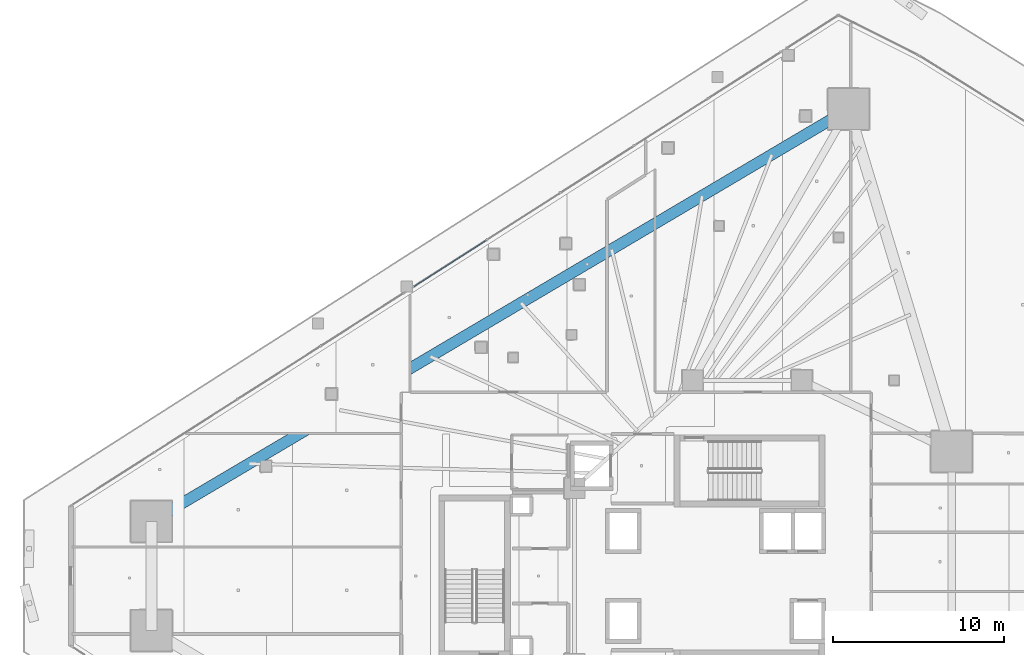
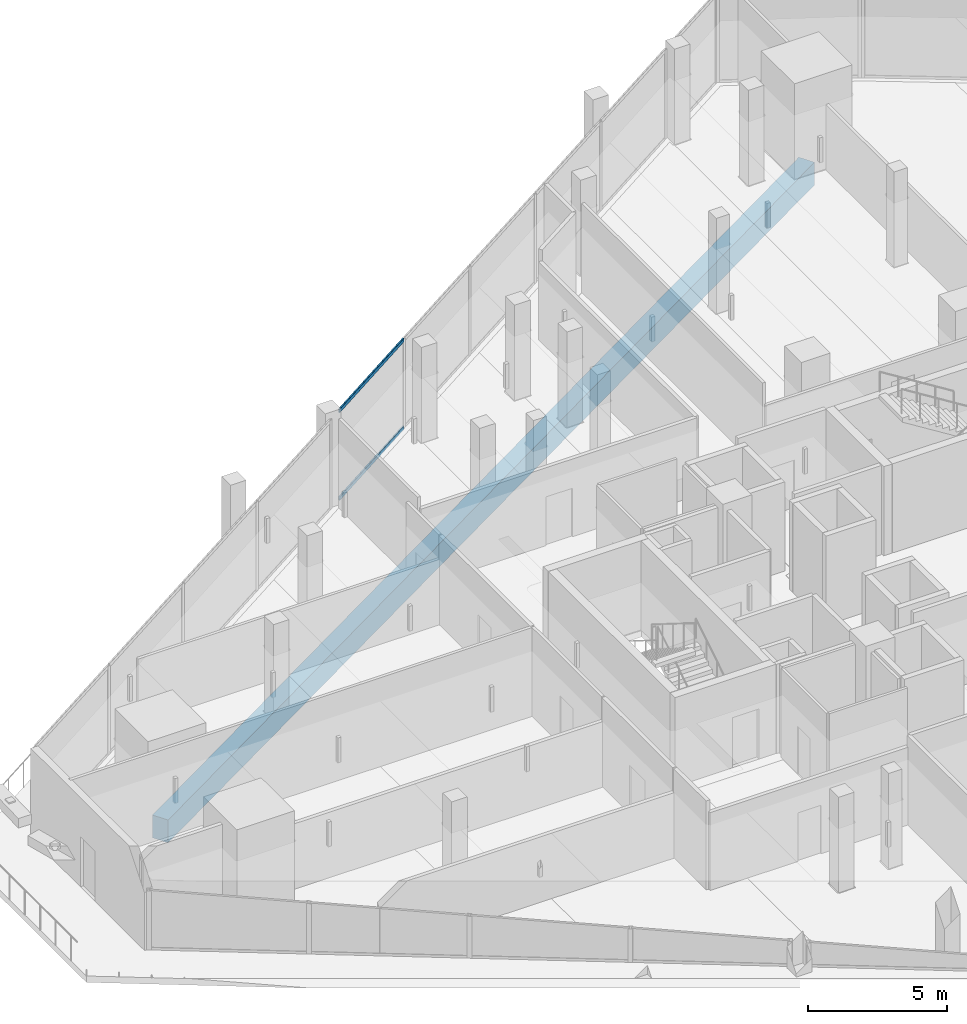
# One storey, part 17 of 44: 2 members, 1 beam, 1 element without a shape of its own.
"""IFC4 building model written with IfcOpenShell, lengths in metres."""

from ifc_helpers import new_model, si_unit, direction, frame, origin, origin_2d, place, context, subcontext, project, spatial, rectangle, hollow_rectangle, extrude, material, layer, layer_set, material_profile, profile_set, type_object, element, aggregate, save


model = new_model("IFC4")

# Units and contexts
model_context = context("Model", 3, precision=1e-05, world=origin(), true_north=direction((0.0, 1.0)))
body_context = subcontext(model_context, "Body", "Model", "MODEL_VIEW")
ifc_project = project(units=[si_unit("LENGTHUNIT", "METRE"), si_unit("AREAUNIT", "SQUARE_METRE"), si_unit("VOLUMEUNIT", "CUBIC_METRE"), si_unit("PLANEANGLEUNIT", "RADIAN"), si_unit("MASSUNIT", "GRAM", prefix="KILO")], contexts=[model_context])

# Site, building, storey
site_placement = place(None, origin())
site = spatial("IfcSite", under=ifc_project, at=site_placement, CompositionType="ELEMENT")
building_placement = place(site_placement, origin())
building = spatial("IfcBuilding", under=site, at=building_placement, Name="Qorvath Tower", CompositionType="ELEMENT")
storey_placement = place(building_placement, frame((0.0, 0.0, 57.60009765625)))
storey = spatial("IfcBuildingStorey", under=building, at=storey_placement, Name="L12", CompositionType="ELEMENT", Elevation=57.60009765625)

# Beam
ifc_material_1 = material(Name="Concrete C50/60", Category="concrete")
ifc_material_profile_1 = material_profile(ifc_material_1, rectangle(XDim=0.64990234375, YDim=1.0, at=origin_2d()), Name="RCB 1000x650")
ifc_profile_set_1 = profile_set([ifc_material_profile_1], Name="Concrete C50/60")
beam_type = type_object("IfcBeamType", Name="BM-RCB1", PredefinedType="SPANDREL", material=ifc_profile_set_1)
beam_placement = place(storey_placement, frame((-14.46435546875, 27.330810546875, -0.780029296875), z_axis=(-0.860777360917, -0.508981664633, 0.0), x_axis=(0.508981664633, -0.860777360917, 0.0)))
element("IfcBeam", 1, at=beam_placement, inside=storey, type_object=beam_type, Name="Perimeter Loggia Frame Beam MC6-MC1 L12", PredefinedType="SPANDREL", context=body_context, shape_type="SweptSolid", body=[
    extrude(rectangle(XDim=0.64990234375, YDim=1.0, at=origin_2d()), origin(), (0.0, 0.0, 1.0), 47.420654296875),
])

# Curtain wall, members
ifc_material_2 = material(Name="Anodised aluminium and triple low-E glass", Category="aluminium")
ifc_layer = layer(ifc_material_2, 0.179931640625)
ifc_layer_set = layer_set([ifc_layer], Name="CW-SYS-2")
curtain_wall_type = type_object("IfcCurtainWallType", Name="CW-SYS-2", PredefinedType="NOTDEFINED", material=ifc_layer_set)
curtain_wall_placement = place(storey_placement, origin())
curtain_wall = element("IfcCurtainWall", 2, at=curtain_wall_placement, inside=storey, type_object=curtain_wall_type, Name="Curtain Wall CW-2 CW-T-L12-16.2", PredefinedType="NOTDEFINED")
ifc_material_3 = material(Name="Anodised aluminium 6063-T6", Category="aluminium")
ifc_material_profile_2 = material_profile(ifc_material_3, hollow_rectangle(XDim=0.06494140625, YDim=0.159912109375, WallThickness=0.00341796875, InnerFilletRadius=0.00341796875, OuterFilletRadius=0.007080078125, at=origin_2d()), Name="CWT 160x65")
ifc_profile_set_2 = profile_set([ifc_material_profile_2], Name="Anodised aluminium 6063-T6")
member_type = type_object("IfcMemberType", Name="CWT-160", PredefinedType="USERDEFINED", material=ifc_profile_set_2)
member_1_placement = place(storey_placement, frame((-35.67138671875, 19.6513671875, 0.032470703125), z_axis=(-0.842586087681, -0.538561681562, 0.0), x_axis=(0.538561681562, -0.842586087681, 0.0)))
member_1 = element("IfcMember", 3, at=member_1_placement, type_object=member_type, Name="CW-2 transom 5.1", ObjectType="TRANSOM", PredefinedType="USERDEFINED", context=body_context, shape_type="SweptSolid", body=[
    extrude(hollow_rectangle(XDim=0.06494140625, YDim=0.159912109375, WallThickness=0.00341796875, InnerFilletRadius=0.00341796875, OuterFilletRadius=0.007080078125, at=origin_2d()), origin(), (0.0, 0.0, 1.0), 5.02783203125),
])
member_2_placement = place(storey_placement, frame((-35.67138671875, 19.6513671875, 3.887451171875), z_axis=(-0.842586087681, -0.538561681562, 0.0), x_axis=(0.538561681562, -0.842586087681, 0.0)))
member_2 = element("IfcMember", 4, at=member_2_placement, type_object=member_type, Name="CW-2 transom 5.2", ObjectType="TRANSOM", PredefinedType="USERDEFINED", context=body_context, shape_type="SweptSolid", body=[
    extrude(hollow_rectangle(XDim=0.06494140625, YDim=0.159912109375, WallThickness=0.00341796875, InnerFilletRadius=0.00341796875, OuterFilletRadius=0.007080078125, at=origin_2d()), origin(), (0.0, 0.0, 1.0), 5.02783203125),
])
aggregate(curtain_wall, [member_1, member_2])

save(model, "model.ifc")
